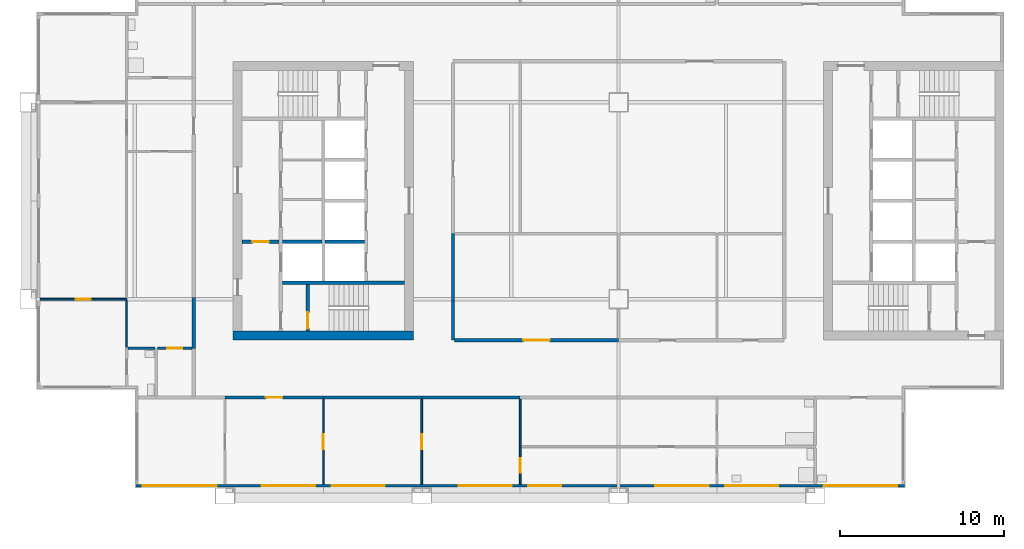
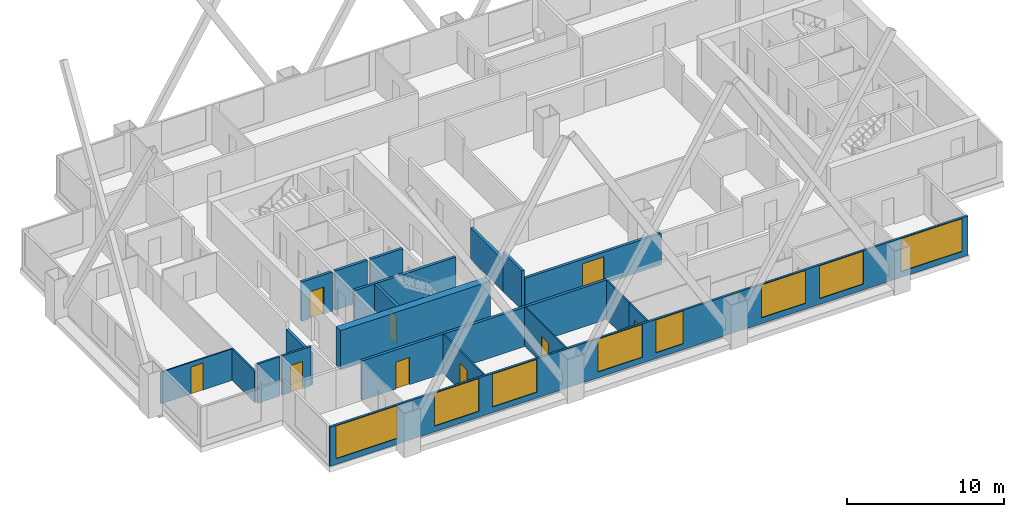
# One storey, part 2 of 9: 22 walls, 9 doors, 8 windows, 17 openings.
"""IFC4 building model written with IfcOpenShell, lengths in metres."""

from ifc_helpers import new_model, si_unit, direction, frame, frame_2d, origin, place, context, subcontext, project, spatial, rectangle, extrude, material, layer, layer_set, type_object, element, fill, save


model = new_model("IFC4")

# Units and contexts
model_context = context("Model", 3, precision=1e-05, world=origin(), true_north=direction((0.0, 1.0)))
body_context = subcontext(model_context, "Body", "Model", "MODEL_VIEW")
ifc_project = project(units=[si_unit("LENGTHUNIT", "METRE"), si_unit("AREAUNIT", "SQUARE_METRE"), si_unit("VOLUMEUNIT", "CUBIC_METRE"), si_unit("PLANEANGLEUNIT", "RADIAN"), si_unit("MASSUNIT", "GRAM", prefix="KILO")], contexts=[model_context])

# Site, building, storey
site_placement = place(None, origin())
site = spatial("IfcSite", under=ifc_project, at=site_placement, CompositionType="ELEMENT")
building_placement = place(site_placement, origin())
building = spatial("IfcBuilding", under=site, at=building_placement, Name="Kitamizu Gate Tower and Museum", CompositionType="ELEMENT")
storey_placement = place(building_placement, frame((0.0, 0.0, 192.75)))
storey = spatial("IfcBuildingStorey", under=building, at=storey_placement, Name="L51", CompositionType="ELEMENT", Elevation=192.75)

# Wall
ifc_material_1 = material(Name="Concrete Fc42", Category="concrete")
ifc_layer_1 = layer(ifc_material_1, 0.550048828125)
ifc_layer_set_1 = layer_set([ifc_layer_1], Name="Concrete Fc42")
wall_type_1 = type_object("IfcWallType", Name="Core wall 550", PredefinedType="SHEAR", material=ifc_layer_set_1)
wall_1_placement = place(storey_placement, frame((12.5, 21.77490234375, 0.0), z_axis=(0.0, 0.0, 1.0), x_axis=(1.0, 0.0, 0.0)))
element("IfcWall", 1, at=wall_1_placement, inside=storey, type_object=wall_type_1, Name="Core wall WS", PredefinedType="SHEAR", context=body_context, shape_type="SweptSolid", body=[
    extrude(rectangle(XDim=11.0, YDim=0.550048828125, at=frame_2d((5.5, 0.0))), origin(), (0.0, 0.0, 1.0), 3.050048828125),
])

# Wall, opening, door
ifc_material_2 = material(Name="Gypsum board on galvanised stud")
ifc_layer_2 = layer(ifc_material_2, 0.10009765625)
ifc_layer_set_2 = layer_set([ifc_layer_2], Name="Gypsum board on galvanised stud")
wall_type_2 = type_object("IfcWallType", Name="Partition 100 NOT RATED", PredefinedType="PARTITIONING", material=ifc_layer_set_2)
wall_2_placement = place(storey_placement, frame((18.0, 12.719970703125, 0.0), z_axis=(0.0, 0.0, 1.0), x_axis=(0.0, 1.0, 0.0)))
wall_2 = element("IfcWall", 2, at=wall_2_placement, inside=storey, type_object=wall_type_2, Name="Partition L51-005", PredefinedType="PARTITIONING", context=body_context, shape_type="SweptSolid", body=[
    extrude(rectangle(XDim=5.179931640625, YDim=0.10009765625, at=frame_2d((2.58984375, 0.0))), origin(), (0.0, 0.0, 1.0), 3.050048828125),
])
opening_1_placement = place(wall_2_placement, frame((2.139892578125, 0.0, 0.0)))
opening_1 = element("IfcOpeningElement", 3, at=opening_1_placement, cuts=wall_2, Name="Opening L51-003", PredefinedType="OPENING", context=body_context, shape_type="SweptSolid", body=[
    extrude(rectangle(XDim=0.89990234375, YDim=2.10009765625, at=frame_2d((0.449951171875, 1.050048828125))), frame((0.0, 0.06005859375, 0.0), z_axis=(0.0, -1.0, 0.0), x_axis=(1.0, 0.0, 0.0)), (0.0, 0.0, 1.0), 0.1201171875),
])
ifc_material_3 = material(Name="Timber door set", Category="wood")
door_type_1 = type_object("IfcDoorType", Name="Room door 900", OperationType="NOTDEFINED", PredefinedType="DOOR", material=ifc_material_3)
door_1_placement = place(opening_1_placement, frame((0.89990234375, 0.0, 0.0), x_axis=(-1.0, 0.0, 0.0)))
door_1 = element("IfcDoor", 4, at=door_1_placement, inside=storey, type_object=door_type_1, Name="Door L51-003", OperationType="SINGLE_SWING_LEFT", OverallHeight=2.10009765625, OverallWidth=0.89990234375, PredefinedType="DOOR", context=body_context, shape_type="SweptSolid", body=[
    extrude(rectangle(XDim=0.89990234375, YDim=2.10009765625, at=frame_2d((0.449951171875, 1.050048828125))), frame((0.0, 0.02490234375, 0.0), z_axis=(0.0, -1.0, 0.0), x_axis=(1.0, 0.0, 0.0)), (0.0, 0.0, 1.0), 0.050048828125),
])
fill(opening_1, door_1)

wall_3_placement = place(storey_placement, frame((24.0, 12.719970703125, 0.0), z_axis=(0.0, 0.0, 1.0), x_axis=(0.0, 1.0, 0.0)))
wall_3 = element("IfcWall", 5, at=wall_3_placement, inside=storey, type_object=wall_type_2, Name="Partition L51-007", PredefinedType="PARTITIONING", context=body_context, shape_type="SweptSolid", body=[
    extrude(rectangle(XDim=5.179931640625, YDim=0.10009765625, at=frame_2d((2.58984375, 0.0))), origin(), (0.0, 0.0, 1.0), 3.050048828125),
])
opening_2_placement = place(wall_3_placement, frame((2.139892578125, 0.0, 0.0)))
opening_2 = element("IfcOpeningElement", 6, at=opening_2_placement, cuts=wall_3, Name="Opening L51-004", PredefinedType="OPENING", context=body_context, shape_type="SweptSolid", body=[
    extrude(rectangle(XDim=0.89990234375, YDim=2.10009765625, at=frame_2d((0.449951171875, 1.050048828125))), frame((0.0, 0.06005859375, 0.0), z_axis=(0.0, -1.0, 0.0), x_axis=(1.0, 0.0, 0.0)), (0.0, 0.0, 1.0), 0.1201171875),
])
door_2_placement = place(opening_2_placement, origin())
door_2 = element("IfcDoor", 7, at=door_2_placement, inside=storey, type_object=door_type_1, Name="Door L51-004", OperationType="SINGLE_SWING_LEFT", OverallHeight=2.10009765625, OverallWidth=0.89990234375, PredefinedType="DOOR", context=body_context, shape_type="SweptSolid", body=[
    extrude(rectangle(XDim=0.89990234375, YDim=2.10009765625, at=frame_2d((0.449951171875, 1.050048828125))), frame((0.0, 0.02490234375, 0.0), z_axis=(0.0, -1.0, 0.0), x_axis=(1.0, 0.0, 0.0)), (0.0, 0.0, 1.0), 0.050048828125),
])
fill(opening_2, door_2)

wall_4_placement = place(storey_placement, frame((30.0, 12.719970703125, 0.0), z_axis=(0.0, 0.0, 1.0), x_axis=(0.0, 1.0, 0.0)))
wall_4 = element("IfcWall", 8, at=wall_4_placement, inside=storey, type_object=wall_type_2, Name="Partition L51-009", PredefinedType="PARTITIONING", context=body_context, shape_type="SweptSolid", body=[
    extrude(rectangle(XDim=2.280029296875, YDim=0.10009765625, at=frame_2d((1.14013671875, 0.0))), origin(), (0.0, 0.0, 1.0), 3.050048828125),
])
opening_3_placement = place(wall_4_placement, frame((0.68994140625, 0.0, 0.0)))
opening_3 = element("IfcOpeningElement", 9, at=opening_3_placement, cuts=wall_4, Name="Opening L51-005", PredefinedType="OPENING", context=body_context, shape_type="SweptSolid", body=[
    extrude(rectangle(XDim=0.89990234375, YDim=2.10009765625, at=frame_2d((0.449951171875, 1.050048828125))), frame((0.0, 0.06005859375, 0.0), z_axis=(0.0, -1.0, 0.0), x_axis=(1.0, 0.0, 0.0)), (0.0, 0.0, 1.0), 0.1201171875),
])
door_3_placement = place(opening_3_placement, frame((0.89990234375, 0.0, 0.0), x_axis=(-1.0, 0.0, 0.0)))
door_3 = element("IfcDoor", 10, at=door_3_placement, inside=storey, type_object=door_type_1, Name="Door L51-005", OperationType="SINGLE_SWING_LEFT", OverallHeight=2.10009765625, OverallWidth=0.89990234375, PredefinedType="DOOR", context=body_context, shape_type="SweptSolid", body=[
    extrude(rectangle(XDim=0.89990234375, YDim=2.10009765625, at=frame_2d((0.449951171875, 1.050048828125))), frame((0.0, 0.02490234375, 0.0), z_axis=(0.0, -1.0, 0.0), x_axis=(1.0, 0.0, 0.0)), (0.0, 0.0, 1.0), 0.050048828125),
])
fill(opening_3, door_3)

# Wall
wall_5_placement = place(storey_placement, frame((30.0, 15.0, 0.0), z_axis=(0.0, 0.0, 1.0), x_axis=(0.0, 1.0, 0.0)))
element("IfcWall", 11, at=wall_5_placement, inside=storey, type_object=wall_type_2, Name="Partition L51-010", PredefinedType="PARTITIONING", context=body_context, shape_type="SweptSolid", body=[
    extrude(rectangle(XDim=2.89990234375, YDim=0.10009765625, at=frame_2d((1.449951171875, 0.0))), origin(), (0.0, 0.0, 1.0), 3.050048828125),
])

# Wall, opening, door
wall_6_placement = place(storey_placement, frame((6.0, 24.0, 0.0), z_axis=(0.0, 0.0, 1.0), x_axis=(-1.0, 0.0, 0.0)))
wall_6 = element("IfcWall", 12, at=wall_6_placement, inside=storey, type_object=wall_type_2, Name="Partition L51-038", PredefinedType="PARTITIONING", context=body_context, shape_type="SweptSolid", body=[
    extrude(rectangle(XDim=5.280029296875, YDim=0.10009765625, at=frame_2d((2.64013671875, 0.0))), origin(), (0.0, 0.0, 1.0), 2.449951171875),
])
opening_4_placement = place(wall_6_placement, frame((2.18994140625, 0.0, 0.0)))
opening_4 = element("IfcOpeningElement", 13, at=opening_4_placement, cuts=wall_6, Name="Opening L51-019", PredefinedType="OPENING", context=body_context, shape_type="SweptSolid", body=[
    extrude(rectangle(XDim=0.89990234375, YDim=2.10009765625, at=frame_2d((0.449951171875, 1.050048828125))), frame((0.0, 0.06005859375, 0.0), z_axis=(0.0, -1.0, 0.0), x_axis=(1.0, 0.0, 0.0)), (0.0, 0.0, 1.0), 0.1201171875),
])
door_4_placement = place(opening_4_placement, origin())
door_4 = element("IfcDoor", 14, at=door_4_placement, inside=storey, type_object=door_type_1, Name="Door L51-019", OperationType="SINGLE_SWING_RIGHT", OverallHeight=2.10009765625, OverallWidth=0.89990234375, PredefinedType="DOOR", context=body_context, shape_type="SweptSolid", body=[
    extrude(rectangle(XDim=0.89990234375, YDim=2.10009765625, at=frame_2d((0.449951171875, 1.050048828125))), frame((0.0, 0.02490234375, 0.0), z_axis=(0.0, -1.0, 0.0), x_axis=(1.0, 0.0, 0.0)), (0.0, 0.0, 1.0), 0.050048828125),
])
fill(opening_4, door_4)

# Walls
wall_7_placement = place(storey_placement, frame((6.0, 21.074951171875, 0.0), z_axis=(0.0, 0.0, 1.0), x_axis=(0.0, 1.0, 0.0)))
element("IfcWall", 15, at=wall_7_placement, inside=storey, type_object=wall_type_2, Name="Partition L51-040", PredefinedType="PARTITIONING", context=body_context, shape_type="SweptSolid", body=[
    extrude(rectangle(XDim=2.875, YDim=0.10009765625, at=frame_2d((1.4375, 0.0))), origin(), (0.0, 0.0, 1.0), 2.449951171875),
])
ifc_material_4 = material(Name="Gypsum board on galvanised stud")
ifc_layer_3 = layer(ifc_material_4, 0.14990234375)
ifc_layer_set_3 = layer_set([ifc_layer_3], Name="Gypsum board on galvanised stud")
wall_type_3 = type_object("IfcWallType", Name="Partition 150", PredefinedType="PARTITIONING", material=ifc_layer_set_3)
wall_8_placement = place(storey_placement, frame((7.72509765625, 21.0, 0.0), z_axis=(0.0, 0.0, 1.0), x_axis=(-1.0, 0.0, 0.0)))
element("IfcWall", 16, at=wall_8_placement, inside=storey, type_object=wall_type_3, Name="Partition L51-047", PredefinedType="PARTITIONING", context=body_context, shape_type="SweptSolid", body=[
    extrude(rectangle(XDim=1.650146484375, YDim=0.14990234375, at=frame_2d((0.8251953125, 0.0))), origin(), (0.0, 0.0, 1.0), 3.050048828125),
])

# Wall, opening, door
wall_9_placement = place(storey_placement, frame((10.0, 21.0, 0.0), z_axis=(0.0, 0.0, 1.0), x_axis=(-1.0, 0.0, 0.0)))
wall_9 = element("IfcWall", 17, at=wall_9_placement, inside=storey, type_object=wall_type_3, Name="Partition L51-048", PredefinedType="PARTITIONING", context=body_context, shape_type="SweptSolid", body=[
    extrude(rectangle(XDim=2.125, YDim=0.14990234375, at=frame_2d((1.0625, 0.0))), origin(), (0.0, 0.0, 1.0), 3.050048828125),
])
opening_5_placement = place(wall_9_placement, frame((0.612548828125, 0.0, 0.0)))
opening_5 = element("IfcOpeningElement", 18, at=opening_5_placement, cuts=wall_9, Name="Opening L51-023", PredefinedType="OPENING", context=body_context, shape_type="SweptSolid", body=[
    extrude(rectangle(XDim=0.89990234375, YDim=2.10009765625, at=frame_2d((0.449951171875, 1.050048828125))), frame((0.0, 0.0849609375, 0.0), z_axis=(0.0, -1.0, 0.0), x_axis=(1.0, 0.0, 0.0)), (0.0, 0.0, 1.0), 0.169921875),
])
ifc_material_5 = material(Name="Timber door set", Category="wood")
door_type_2 = type_object("IfcDoorType", Name="Bathroom door 900", OperationType="NOTDEFINED", PredefinedType="DOOR", material=ifc_material_5)
door_5_placement = place(opening_5_placement, origin())
door_5 = element("IfcDoor", 19, at=door_5_placement, inside=storey, type_object=door_type_2, Name="Bathroom door L51-023", OperationType="SINGLE_SWING_RIGHT", OverallHeight=2.10009765625, OverallWidth=0.89990234375, PredefinedType="DOOR", context=body_context, shape_type="SweptSolid", body=[
    extrude(rectangle(XDim=0.89990234375, YDim=2.10009765625, at=frame_2d((0.449951171875, 1.050048828125))), frame((0.0, 0.02490234375, 0.0), z_axis=(0.0, -1.0, 0.0), x_axis=(1.0, 0.0, 0.0)), (0.0, 0.0, 1.0), 0.050048828125),
])
fill(opening_5, door_5)

ifc_material_6 = material(Name="Gypsum board on galvanised stud")
ifc_layer_4 = layer(ifc_material_6, 0.199951171875)
ifc_layer_set_4 = layer_set([ifc_layer_4], Name="Gypsum board on galvanised stud")
wall_type_4 = type_object("IfcWallType", Name="Partition 200", PredefinedType="PARTITIONING", material=ifc_layer_set_4)
wall_10_placement = place(storey_placement, frame((18.0, 18.0, 0.0), z_axis=(0.0, 0.0, 1.0), x_axis=(-1.0, 0.0, 0.0)))
wall_10 = element("IfcWall", 20, at=wall_10_placement, inside=storey, type_object=wall_type_4, Name="Partition L51-006", PredefinedType="PARTITIONING", context=body_context, shape_type="SweptSolid", body=[
    extrude(rectangle(XDim=6.0, YDim=0.199951171875, at=frame_2d((3.0, 0.0))), origin(), (0.0, 0.0, 1.0), 3.050048828125),
])
opening_6_placement = place(wall_10_placement, frame((2.5, 0.0, 0.0)))
opening_6 = element("IfcOpeningElement", 21, at=opening_6_placement, cuts=wall_10, Name="Opening L51-001", PredefinedType="OPENING", context=body_context, shape_type="SweptSolid", body=[
    extrude(rectangle(XDim=1.0, YDim=2.10009765625, at=frame_2d((0.5, 1.050048828125))), frame((0.0, 0.10986328125, 0.0), z_axis=(0.0, -1.0, 0.0), x_axis=(1.0, 0.0, 0.0)), (0.0, 0.0, 1.0), 0.219970703125),
])
ifc_material_7 = material(Name="Timber door set", Category="wood")
door_type_3 = type_object("IfcDoorType", Name="Flat entrance door 1000", OperationType="NOTDEFINED", PredefinedType="DOOR", material=ifc_material_7)
door_6_placement = place(opening_6_placement, origin())
door_6 = element("IfcDoor", 22, at=door_6_placement, inside=storey, type_object=door_type_3, Name="Flat entrance door L51-001", OperationType="SINGLE_SWING_RIGHT", OverallHeight=2.10009765625, OverallWidth=1.0, PredefinedType="DOOR", context=body_context, shape_type="SweptSolid", body=[
    extrude(rectangle(XDim=1.0, YDim=2.10009765625, at=frame_2d((0.5, 1.050048828125))), frame((0.0, 0.02490234375, 0.0), z_axis=(0.0, -1.0, 0.0), x_axis=(1.0, 0.0, 0.0)), (0.0, 0.0, 1.0), 0.050048828125),
])
fill(opening_6, door_6)

# Walls
for number, where, z_axis, x_axis, name in (
    (23, (24.0, 18.0, 0.0), (0.0, 0.0, 1.0), (-1.0, 0.0, 0.0), "Partition L51-008"),
    (24, (30.0, 18.0, 0.0), (0.0, 0.0, 1.0), (-1.0, 0.0, 0.0), "Partition L51-011"),
):
    element("IfcWall", number, at=place(storey_placement, frame(where, z_axis=z_axis, x_axis=x_axis)), inside=storey, type_object=wall_type_4, Name=name, PredefinedType="PARTITIONING", context=body_context, shape_type="SweptSolid", body=[
        extrude(rectangle(XDim=6.0, YDim=0.199951171875, at=frame_2d((3.0, 0.0))), origin(), (0.0, 0.0, 1.0), 3.050048828125),
    ])
wall_11_placement = place(storey_placement, frame((10.10009765625, 21.0, 0.0), z_axis=(0.0, 0.0, 1.0), x_axis=(0.0, 1.0, 0.0)))
element("IfcWall", 25, at=wall_11_placement, inside=storey, type_object=wall_type_4, Name="Partition L51-051", PredefinedType="PARTITIONING", context=body_context, shape_type="SweptSolid", body=[
    extrude(rectangle(XDim=3.10009765625, YDim=0.199951171875, at=frame_2d((1.550048828125, 0.0))), origin(), (0.0, 0.0, 1.0), 2.449951171875),
])
wall_12_placement = place(storey_placement, frame((25.89990234375, 28.0, 0.0), z_axis=(0.0, 0.0, 1.0), x_axis=(0.0, -1.0, 0.0)))
element("IfcWall", 26, at=wall_12_placement, inside=storey, type_object=wall_type_4, Name="Partition L51-057", PredefinedType="PARTITIONING", context=body_context, shape_type="SweptSolid", body=[
    extrude(rectangle(XDim=4.10009765625, YDim=0.199951171875, at=frame_2d((2.050048828125, 0.0))), origin(), (0.0, 0.0, 1.0), 2.449951171875),
])
wall_13_placement = place(storey_placement, frame((25.89990234375, 23.89990234375, 0.0), z_axis=(0.0, 0.0, 1.0), x_axis=(0.0, -1.0, 0.0)))
element("IfcWall", 27, at=wall_13_placement, inside=storey, type_object=wall_type_4, Name="Partition L51-058", PredefinedType="PARTITIONING", context=body_context, shape_type="SweptSolid", body=[
    extrude(rectangle(XDim=2.39990234375, YDim=0.199951171875, at=frame_2d((1.199951171875, 0.0))), origin(), (0.0, 0.0, 1.0), 3.050048828125),
])

# Wall, opening, door
wall_14_placement = place(storey_placement, frame((26.0, 21.5, 0.0), z_axis=(0.0, 0.0, 1.0), x_axis=(1.0, 0.0, 0.0)))
wall_14 = element("IfcWall", 28, at=wall_14_placement, inside=storey, type_object=wall_type_4, Name="Partition L51-059", PredefinedType="PARTITIONING", context=body_context, shape_type="SweptSolid", body=[
    extrude(rectangle(XDim=10.0, YDim=0.199951171875, at=frame_2d((5.0, 0.0))), origin(), (0.0, 0.0, 1.0), 2.449951171875),
])
opening_7_placement = place(wall_14_placement, frame((4.199951171875, 0.0, 0.0)))
opening_7 = element("IfcOpeningElement", 29, at=opening_7_placement, cuts=wall_14, Name="Opening L51-025", PredefinedType="OPENING", context=body_context, shape_type="SweptSolid", body=[
    extrude(rectangle(XDim=1.60009765625, YDim=2.10009765625, at=frame_2d((0.800048828125, 1.050048828125))), frame((0.0, 0.10986328125, 0.0), z_axis=(0.0, -1.0, 0.0), x_axis=(1.0, 0.0, 0.0)), (0.0, 0.0, 1.0), 0.219970703125),
])
ifc_material_8 = material(Name="Timber door set", Category="wood")
door_type_4 = type_object("IfcDoorType", Name="Double door 1600", OperationType="DOUBLE_DOOR_SINGLE_SWING", PredefinedType="DOOR", material=ifc_material_8)
door_7_placement = place(opening_7_placement, origin())
door_7 = element("IfcDoor", 30, at=door_7_placement, inside=storey, type_object=door_type_4, Name="Double door L51-025", OperationType="DOUBLE_DOOR_SINGLE_SWING", OverallHeight=2.10009765625, OverallWidth=1.60009765625, PredefinedType="DOOR", context=body_context, shape_type="SweptSolid", body=[
    extrude(rectangle(XDim=1.60009765625, YDim=2.10009765625, at=frame_2d((0.800048828125, 1.050048828125))), frame((0.0, 0.02490234375, 0.0), z_axis=(0.0, -1.0, 0.0), x_axis=(1.0, 0.0, 0.0)), (0.0, 0.0, 1.0), 0.050048828125),
])
fill(opening_7, door_7)

# Wall
ifc_material_9 = material(Name="Concrete Fc42", Category="concrete")
ifc_layer_5 = layer(ifc_material_9, 0.199951171875)
ifc_layer_set_5 = layer_set([ifc_layer_5], Name="Concrete Fc42")
wall_type_5 = type_object("IfcWallType", Name="Shaft wall 200", PredefinedType="SOLIDWALL", material=ifc_layer_set_5)
wall_15_placement = place(storey_placement, frame((15.5, 25.0, 0.0), z_axis=(0.0, 0.0, 1.0), x_axis=(1.0, 0.0, 0.0)))
element("IfcWall", 31, at=wall_15_placement, inside=storey, type_object=wall_type_5, Name="Shaft wall WSB", PredefinedType="SOLIDWALL", context=body_context, shape_type="SweptSolid", body=[
    extrude(rectangle(XDim=7.449951171875, YDim=0.199951171875, at=frame_2d((3.72509765625, 0.0))), origin(), (0.0, 0.0, 1.0), 3.050048828125),
])

# Wall, opening, door
wall_16_placement = place(storey_placement, frame((13.050048828125, 27.5, 0.0), z_axis=(0.0, 0.0, 1.0), x_axis=(1.0, 0.0, 0.0)))
wall_16 = element("IfcWall", 32, at=wall_16_placement, inside=storey, type_object=wall_type_5, Name="Shaft wall WFFN", PredefinedType="SOLIDWALL", context=body_context, shape_type="SweptSolid", body=[
    extrude(rectangle(XDim=2.25, YDim=0.199951171875, at=frame_2d((1.125, 0.0))), origin(), (0.0, 0.0, 1.0), 3.050048828125),
])
opening_8_placement = place(wall_16_placement, frame((0.625, 0.0, 0.0)))
opening_8 = element("IfcOpeningElement", 33, at=opening_8_placement, cuts=wall_16, Name="Opening L51-034", PredefinedType="OPENING", context=body_context, shape_type="SweptSolid", body=[
    extrude(rectangle(XDim=1.0, YDim=2.10009765625, at=frame_2d((0.5, 1.050048828125))), frame((0.0, 0.10986328125, 0.0), z_axis=(0.0, -1.0, 0.0), x_axis=(1.0, 0.0, 0.0)), (0.0, 0.0, 1.0), 0.219970703125),
])
ifc_material_10 = material(Name="Hollow metal door set")
door_type_5 = type_object("IfcDoorType", Name="Fire door 1000", OperationType="NOTDEFINED", PredefinedType="DOOR", material=ifc_material_10)
door_8_placement = place(opening_8_placement, frame((1.0, 0.0, 0.0), x_axis=(-1.0, 0.0, 0.0)))
door_8 = element("IfcDoor", 34, at=door_8_placement, inside=storey, type_object=door_type_5, Name="Fire-fighting lobby door L51-034", OperationType="SINGLE_SWING_RIGHT", OverallHeight=2.10009765625, OverallWidth=1.0, PredefinedType="DOOR", context=body_context, shape_type="SweptSolid", body=[
    extrude(rectangle(XDim=1.0, YDim=2.10009765625, at=frame_2d((0.5, 1.050048828125))), frame((0.0, 0.02490234375, 0.0), z_axis=(0.0, -1.0, 0.0), x_axis=(1.0, 0.0, 0.0)), (0.0, 0.0, 1.0), 0.050048828125),
])
fill(opening_8, door_8)

wall_17_placement = place(storey_placement, frame((17.050048828125, 22.050048828125, 0.0), z_axis=(0.0, 0.0, 1.0), x_axis=(0.0, 1.0, 0.0)))
wall_17 = element("IfcWall", 35, at=wall_17_placement, inside=storey, type_object=wall_type_5, Name="Shaft wall WSZ", PredefinedType="SOLIDWALL", context=body_context, shape_type="SweptSolid", body=[
    extrude(rectangle(XDim=2.849853515625, YDim=0.199951171875, at=frame_2d((1.4248046875, 0.0))), origin(), (0.0, 0.0, 1.0), 3.050048828125),
])
opening_9_placement = place(wall_17_placement, frame((0.14990234375, 0.0, 0.0)))
opening_9 = element("IfcOpeningElement", 36, at=opening_9_placement, cuts=wall_17, Name="Opening L51-030", PredefinedType="OPENING", context=body_context, shape_type="SweptSolid", body=[
    extrude(rectangle(XDim=1.0, YDim=2.10009765625, at=frame_2d((0.5, 1.050048828125))), frame((0.0, 0.10986328125, 0.0), z_axis=(0.0, -1.0, 0.0), x_axis=(1.0, 0.0, 0.0)), (0.0, 0.0, 1.0), 0.219970703125),
])
door_9_placement = place(opening_9_placement, frame((1.0, 0.0, 0.0), x_axis=(-1.0, 0.0, 0.0)))
door_9 = element("IfcDoor", 37, at=door_9_placement, inside=storey, type_object=door_type_5, Name="Stair door L51-030", OperationType="SINGLE_SWING_LEFT", OverallHeight=2.10009765625, OverallWidth=1.0, PredefinedType="DOOR", context=body_context, shape_type="SweptSolid", body=[
    extrude(rectangle(XDim=1.0, YDim=2.10009765625, at=frame_2d((0.5, 1.050048828125))), frame((0.0, 0.02490234375, 0.0), z_axis=(0.0, -1.0, 0.0), x_axis=(1.0, 0.0, 0.0)), (0.0, 0.0, 1.0), 0.050048828125),
])
fill(opening_9, door_9)

# Walls
for number, where, z_axis, x_axis, name in (
    (38, (15.5, 27.5, 0.0), (0.0, 0.0, 1.0), (1.0, 0.0, 0.0), "Shaft wall WDVW0"),
    (39, (18.10009765625, 27.5, 0.0), (0.0, 0.0, 1.0), (1.0, 0.0, 0.0), "Shaft wall WDVE0"),
):
    element("IfcWall", number, at=place(storey_placement, frame(where, z_axis=z_axis, x_axis=x_axis)), inside=storey, type_object=wall_type_5, Name=name, PredefinedType="SOLIDWALL", context=body_context, shape_type="SweptSolid", body=[
        extrude(rectangle(XDim=2.39990234375, YDim=0.199951171875, at=frame_2d((1.199951171875, 0.0))), origin(), (0.0, 0.0, 1.0), 3.050048828125),
    ])

# Wall, openings, windows
ifc_material_11 = material(Name="Bronze anodised aluminium frame with insulated spandrel and tinted glass", Category="aluminium")
ifc_layer_6 = layer(ifc_material_11, 0.14990234375)
ifc_layer_set_6 = layer_set([ifc_layer_6], Name="Bronze anodised aluminium frame with insulated spandrel and tinted glass")
wall_type_6 = type_object("IfcWallType", Name="WINDOW WALL 150 BRONZE FRAME EI 30", PredefinedType="ELEMENTEDWALL", material=ifc_layer_set_6)
wall_18_placement = place(storey_placement, frame((6.56005859375, 12.635009765625, 0.0), z_axis=(0.0, 0.0, 1.0), x_axis=(1.0, 0.0, 0.0)))
wall_18 = element("IfcWall", 40, at=wall_18_placement, inside=storey, type_object=wall_type_6, Name="Window wall south L51", PredefinedType="ELEMENTEDWALL", context=body_context, shape_type="SweptSolid", body=[
    extrude(rectangle(XDim=46.8798828125, YDim=0.14990234375, at=frame_2d((23.43994140625, 0.0))), origin(), (0.0, 0.0, 1.0), 3.050048828125),
])
opening_10_placement = place(wall_18_placement, frame((0.43994140625, 0.0, 0.449951171875)))
opening_10 = element("IfcOpeningElement", 41, at=opening_10_placement, cuts=wall_18, Name="Opening W15", PredefinedType="OPENING", context=body_context, shape_type="SweptSolid", body=[
    extrude(rectangle(XDim=4.5, YDim=2.550048828125, at=frame_2d((2.25, 1.27490234375))), frame((0.0, 0.0849609375, 0.0), z_axis=(0.0, -1.0, 0.0), x_axis=(1.0, 0.0, 0.0)), (0.0, 0.0, 1.0), 0.169921875),
])
opening_11_placement = place(wall_18_placement, frame((7.68994140625, 0.0, 0.449951171875)))
opening_11 = element("IfcOpeningElement", 42, at=opening_11_placement, cuts=wall_18, Name="Opening W34", PredefinedType="OPENING", context=body_context, shape_type="SweptSolid", body=[
    extrude(rectangle(XDim=3.25, YDim=2.550048828125, at=frame_2d((1.625, 1.27490234375))), frame((0.0, 0.0849609375, 0.0), z_axis=(0.0, -1.0, 0.0), x_axis=(1.0, 0.0, 0.0)), (0.0, 0.0, 1.0), 0.169921875),
])
opening_12_placement = place(wall_18_placement, frame((11.93994140625, 0.0, 0.449951171875)))
opening_12 = element("IfcOpeningElement", 43, at=opening_12_placement, cuts=wall_18, Name="Opening W34", PredefinedType="OPENING", context=body_context, shape_type="SweptSolid", body=[
    extrude(rectangle(XDim=3.25, YDim=2.550048828125, at=frame_2d((1.625, 1.27490234375))), frame((0.0, 0.0849609375, 0.0), z_axis=(0.0, -1.0, 0.0), x_axis=(1.0, 0.0, 0.0)), (0.0, 0.0, 1.0), 0.169921875),
])
opening_13_placement = place(wall_18_placement, frame((19.68994140625, 0.0, 0.449951171875)))
opening_13 = element("IfcOpeningElement", 44, at=opening_13_placement, cuts=wall_18, Name="Opening W34", PredefinedType="OPENING", context=body_context, shape_type="SweptSolid", body=[
    extrude(rectangle(XDim=3.25, YDim=2.550048828125, at=frame_2d((1.625, 1.27490234375))), frame((0.0, 0.0849609375, 0.0), z_axis=(0.0, -1.0, 0.0), x_axis=(1.0, 0.0, 0.0)), (0.0, 0.0, 1.0), 0.169921875),
])
opening_14_placement = place(wall_18_placement, frame((23.93994140625, 0.0, 0.449951171875)))
opening_14 = element("IfcOpeningElement", 45, at=opening_14_placement, cuts=wall_18, Name="Opening W2", PredefinedType="OPENING", context=body_context, shape_type="SweptSolid", body=[
    extrude(rectangle(XDim=2.0, YDim=2.550048828125, at=frame_2d((1.0, 1.27490234375))), frame((0.0, 0.0849609375, 0.0), z_axis=(0.0, -1.0, 0.0), x_axis=(1.0, 0.0, 0.0)), (0.0, 0.0, 1.0), 0.169921875),
])
opening_15_placement = place(wall_18_placement, frame((31.68994140625, 0.0, 0.449951171875)))
opening_15 = element("IfcOpeningElement", 46, at=opening_15_placement, cuts=wall_18, Name="Opening W34", PredefinedType="OPENING", context=body_context, shape_type="SweptSolid", body=[
    extrude(rectangle(XDim=3.25, YDim=2.550048828125, at=frame_2d((1.625, 1.27490234375))), frame((0.0, 0.0849609375, 0.0), z_axis=(0.0, -1.0, 0.0), x_axis=(1.0, 0.0, 0.0)), (0.0, 0.0, 1.0), 0.169921875),
])
opening_16_placement = place(wall_18_placement, frame((35.93994140625, 0.0, 0.449951171875)))
opening_16 = element("IfcOpeningElement", 47, at=opening_16_placement, cuts=wall_18, Name="Opening W34", PredefinedType="OPENING", context=body_context, shape_type="SweptSolid", body=[
    extrude(rectangle(XDim=3.25, YDim=2.550048828125, at=frame_2d((1.625, 1.27490234375))), frame((0.0, 0.0849609375, 0.0), z_axis=(0.0, -1.0, 0.0), x_axis=(1.0, 0.0, 0.0)), (0.0, 0.0, 1.0), 0.169921875),
])
opening_17_placement = place(wall_18_placement, frame((41.93994140625, 0.0, 0.449951171875)))
opening_17 = element("IfcOpeningElement", 48, at=opening_17_placement, cuts=wall_18, Name="Opening W15", PredefinedType="OPENING", context=body_context, shape_type="SweptSolid", body=[
    extrude(rectangle(XDim=4.5, YDim=2.550048828125, at=frame_2d((2.25, 1.27490234375))), frame((0.0, 0.0849609375, 0.0), z_axis=(0.0, -1.0, 0.0), x_axis=(1.0, 0.0, 0.0)), (0.0, 0.0, 1.0), 0.169921875),
])
ifc_material_12 = material(Name="Bronze anodised aluminium frame, tinted triple glazing", Category="aluminium")
window_type_1 = type_object("IfcWindowType", Name="WINDOW 2000 x 2550 SILL 450", PartitioningType="SINGLE_PANEL", PredefinedType="WINDOW", material=ifc_material_12)
window_1_placement = place(opening_14_placement, origin())
window_1 = element("IfcWindow", 49, at=window_1_placement, inside=storey, type_object=window_type_1, Name="Window W2 L51", OverallHeight=2.550048828125, OverallWidth=2.0, PartitioningType="SINGLE_PANEL", PredefinedType="WINDOW", context=body_context, shape_type="SweptSolid", body=[
    extrude(rectangle(XDim=2.0, YDim=2.550048828125, at=frame_2d((1.0, 1.27490234375))), frame((0.0, 0.030029296875, 0.0), z_axis=(0.0, -1.0, 0.0), x_axis=(1.0, 0.0, 0.0)), (0.0, 0.0, 1.0), 0.06005859375),
])
fill(opening_14, window_1)
ifc_material_13 = material(Name="Bronze anodised aluminium frame, tinted triple glazing", Category="aluminium")
window_type_2 = type_object("IfcWindowType", Name="WINDOW 3250 x 2550 SILL 450", PartitioningType="SINGLE_PANEL", PredefinedType="WINDOW", material=ifc_material_13)
window_2_placement = place(opening_11_placement, origin())
window_2 = element("IfcWindow", 50, at=window_2_placement, inside=storey, type_object=window_type_2, Name="Window W34 L51", OverallHeight=2.550048828125, OverallWidth=3.25, PartitioningType="SINGLE_PANEL", PredefinedType="WINDOW", context=body_context, shape_type="SweptSolid", body=[
    extrude(rectangle(XDim=3.25, YDim=2.550048828125, at=frame_2d((1.625, 1.27490234375))), frame((0.0, 0.030029296875, 0.0), z_axis=(0.0, -1.0, 0.0), x_axis=(1.0, 0.0, 0.0)), (0.0, 0.0, 1.0), 0.06005859375),
])
fill(opening_11, window_2)
window_3_placement = place(opening_12_placement, origin())
window_3 = element("IfcWindow", 51, at=window_3_placement, inside=storey, type_object=window_type_2, Name="Window W34 L51", OverallHeight=2.550048828125, OverallWidth=3.25, PartitioningType="SINGLE_PANEL", PredefinedType="WINDOW", context=body_context, shape_type="SweptSolid", body=[
    extrude(rectangle(XDim=3.25, YDim=2.550048828125, at=frame_2d((1.625, 1.27490234375))), frame((0.0, 0.030029296875, 0.0), z_axis=(0.0, -1.0, 0.0), x_axis=(1.0, 0.0, 0.0)), (0.0, 0.0, 1.0), 0.06005859375),
])
fill(opening_12, window_3)
window_4_placement = place(opening_13_placement, origin())
window_4 = element("IfcWindow", 52, at=window_4_placement, inside=storey, type_object=window_type_2, Name="Window W34 L51", OverallHeight=2.550048828125, OverallWidth=3.25, PartitioningType="SINGLE_PANEL", PredefinedType="WINDOW", context=body_context, shape_type="SweptSolid", body=[
    extrude(rectangle(XDim=3.25, YDim=2.550048828125, at=frame_2d((1.625, 1.27490234375))), frame((0.0, 0.030029296875, 0.0), z_axis=(0.0, -1.0, 0.0), x_axis=(1.0, 0.0, 0.0)), (0.0, 0.0, 1.0), 0.06005859375),
])
fill(opening_13, window_4)
window_5_placement = place(opening_15_placement, origin())
window_5 = element("IfcWindow", 53, at=window_5_placement, inside=storey, type_object=window_type_2, Name="Window W34 L51", OverallHeight=2.550048828125, OverallWidth=3.25, PartitioningType="SINGLE_PANEL", PredefinedType="WINDOW", context=body_context, shape_type="SweptSolid", body=[
    extrude(rectangle(XDim=3.25, YDim=2.550048828125, at=frame_2d((1.625, 1.27490234375))), frame((0.0, 0.030029296875, 0.0), z_axis=(0.0, -1.0, 0.0), x_axis=(1.0, 0.0, 0.0)), (0.0, 0.0, 1.0), 0.06005859375),
])
fill(opening_15, window_5)
window_6_placement = place(opening_16_placement, origin())
window_6 = element("IfcWindow", 54, at=window_6_placement, inside=storey, type_object=window_type_2, Name="Window W34 L51", OverallHeight=2.550048828125, OverallWidth=3.25, PartitioningType="SINGLE_PANEL", PredefinedType="WINDOW", context=body_context, shape_type="SweptSolid", body=[
    extrude(rectangle(XDim=3.25, YDim=2.550048828125, at=frame_2d((1.625, 1.27490234375))), frame((0.0, 0.030029296875, 0.0), z_axis=(0.0, -1.0, 0.0), x_axis=(1.0, 0.0, 0.0)), (0.0, 0.0, 1.0), 0.06005859375),
])
fill(opening_16, window_6)
ifc_material_14 = material(Name="Bronze anodised aluminium frame, tinted triple glazing", Category="aluminium")
window_type_3 = type_object("IfcWindowType", Name="WINDOW 4500 x 2550 SILL 450", PartitioningType="SINGLE_PANEL", PredefinedType="WINDOW", material=ifc_material_14)
window_7_placement = place(opening_10_placement, origin())
window_7 = element("IfcWindow", 55, at=window_7_placement, inside=storey, type_object=window_type_3, Name="Window W15 L51", OverallHeight=2.550048828125, OverallWidth=4.5, PartitioningType="SINGLE_PANEL", PredefinedType="WINDOW", context=body_context, shape_type="SweptSolid", body=[
    extrude(rectangle(XDim=4.5, YDim=2.550048828125, at=frame_2d((2.25, 1.27490234375))), frame((0.0, 0.030029296875, 0.0), z_axis=(0.0, -1.0, 0.0), x_axis=(1.0, 0.0, 0.0)), (0.0, 0.0, 1.0), 0.06005859375),
])
fill(opening_10, window_7)
window_8_placement = place(opening_17_placement, origin())
window_8 = element("IfcWindow", 56, at=window_8_placement, inside=storey, type_object=window_type_3, Name="Window W15 L51", OverallHeight=2.550048828125, OverallWidth=4.5, PartitioningType="SINGLE_PANEL", PredefinedType="WINDOW", context=body_context, shape_type="SweptSolid", body=[
    extrude(rectangle(XDim=4.5, YDim=2.550048828125, at=frame_2d((2.25, 1.27490234375))), frame((0.0, 0.030029296875, 0.0), z_axis=(0.0, -1.0, 0.0), x_axis=(1.0, 0.0, 0.0)), (0.0, 0.0, 1.0), 0.06005859375),
])
fill(opening_17, window_8)

save(model, "model.ifc")
